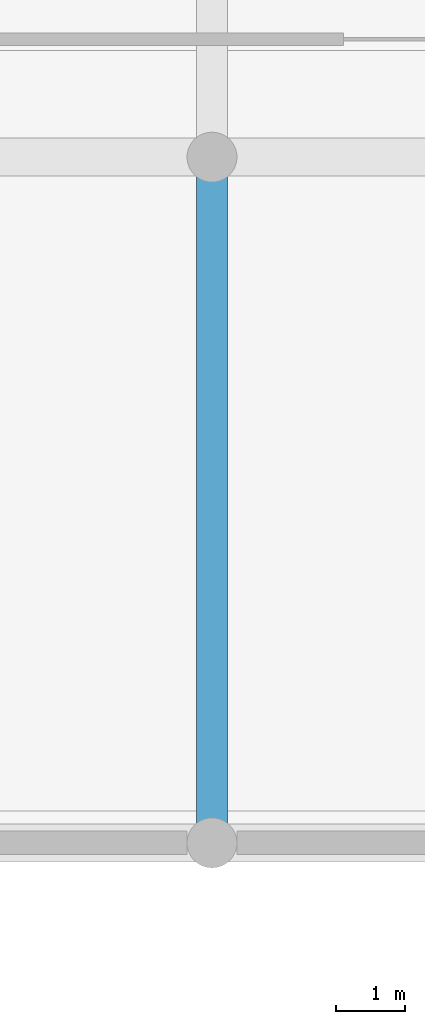
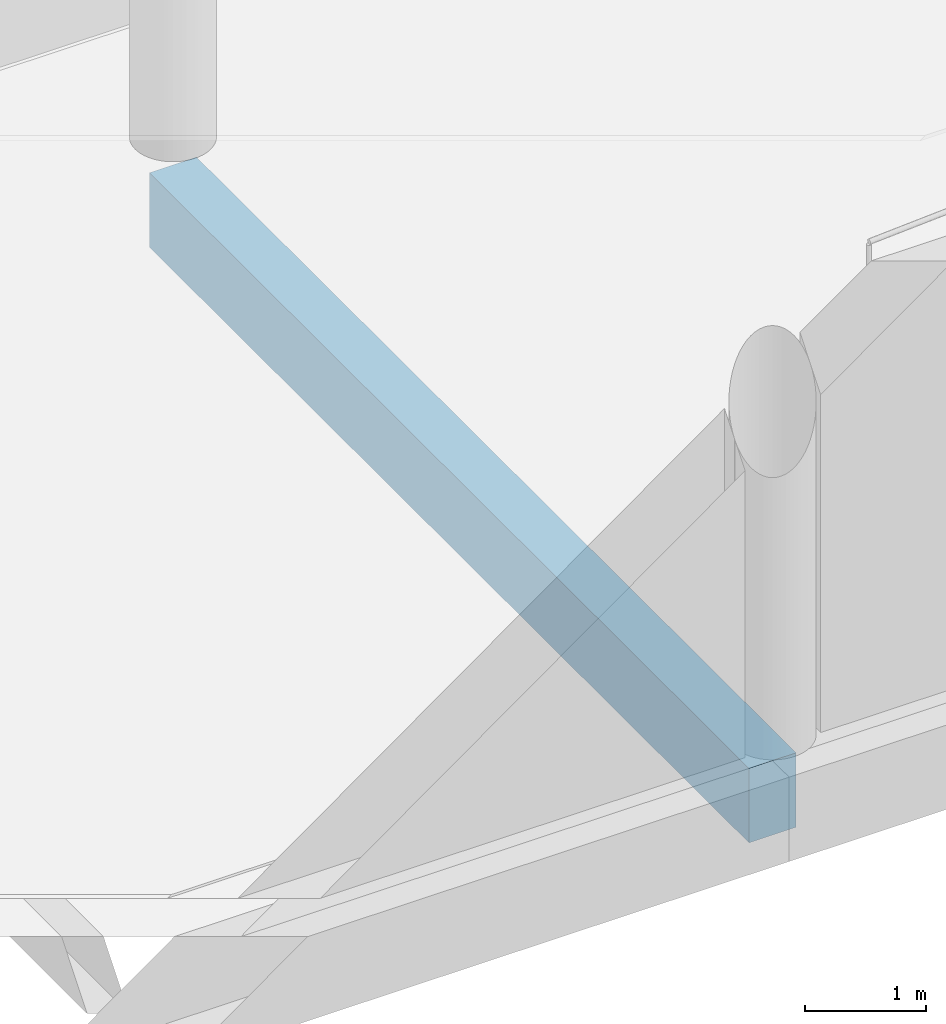
# One storey, part 15 of 72: 1 beam.
"""IFC4 building model written with IfcOpenShell, lengths in metres."""

from ifc_helpers import new_model, si_unit, direction, frame, origin, origin_2d, place, context, subcontext, project, spatial, rectangle, extrude, material, material_profile, profile_set, type_object, element, save


model = new_model("IFC4")

# Units and contexts
model_context = context("Model", 3, precision=1e-05, world=origin(), true_north=direction((0.0, 1.0)))
body_context = subcontext(model_context, "Body", "Model", "MODEL_VIEW")
ifc_project = project(units=[si_unit("LENGTHUNIT", "METRE"), si_unit("AREAUNIT", "SQUARE_METRE"), si_unit("VOLUMEUNIT", "CUBIC_METRE"), si_unit("PLANEANGLEUNIT", "RADIAN"), si_unit("MASSUNIT", "GRAM", prefix="KILO")], contexts=[model_context])

# Site, building, storey
site_placement = place(None, origin())
site = spatial("IfcSite", under=ifc_project, at=site_placement, CompositionType="ELEMENT")
building_placement = place(site_placement, origin())
building = spatial("IfcBuilding", under=site, at=building_placement, Name="Sillaruma Civic Art Gallery", CompositionType="ELEMENT")
storey_placement = place(building_placement, frame((0.0, 0.0, 10.8798828125)))
storey = spatial("IfcBuildingStorey", under=building, at=storey_placement, Name="L02", CompositionType="ELEMENT", Elevation=10.8798828125)

# Beam
ifc_material = material(Name="Concrete H40 (40 MPa)", Category="concrete")
ifc_material_profile = material_profile(ifc_material, rectangle(XDim=0.449951171875, YDim=0.75, at=origin_2d()), Name="RCB450x750")
ifc_profile_set = profile_set([ifc_material_profile], Name="Concrete H40 (40 MPa)")
beam_type = type_object("IfcBeamType", Name="BM-BEAM-RCB450x750", PredefinedType="BEAM", material=ifc_profile_set)
beam_placement = place(storey_placement, frame((12.39990234375, 79.199951171875, -0.634765625), z_axis=(0.0, 1.0, 0.0), x_axis=(-1.0, 0.0, 0.0)))
element("IfcBeam", 1, at=beam_placement, inside=storey, type_object=beam_type, Name="Beam BM-03 (L01:B:9-10)", PredefinedType="BEAM", context=body_context, shape_type="SweptSolid", body=[
    extrude(rectangle(XDim=0.449951171875, YDim=0.75, at=origin_2d()), origin(), (0.0, 0.0, 1.0), 9.900146484375),
])

save(model, "model.ifc")
